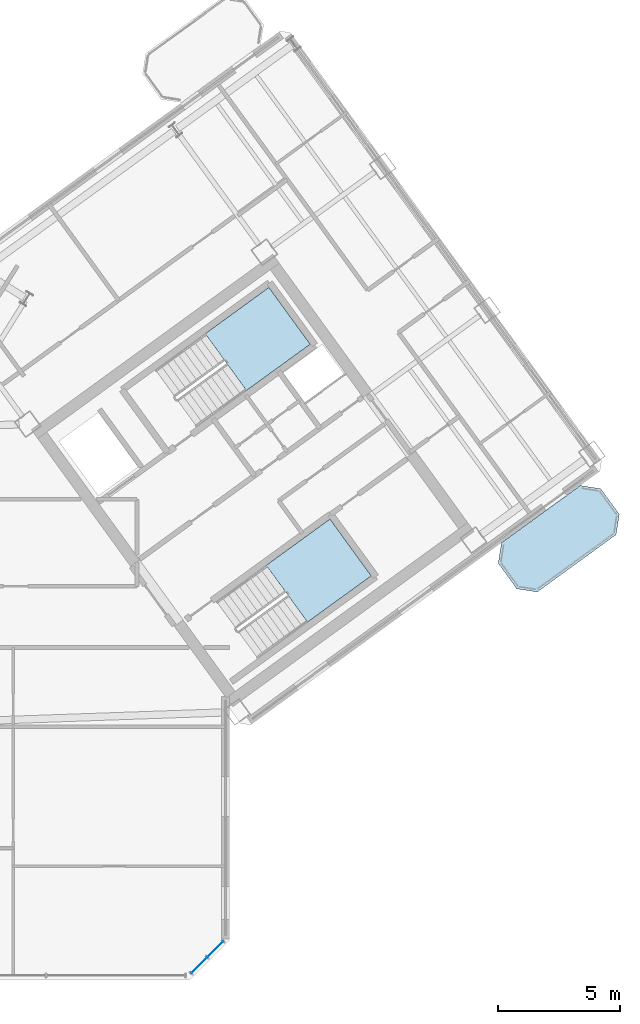
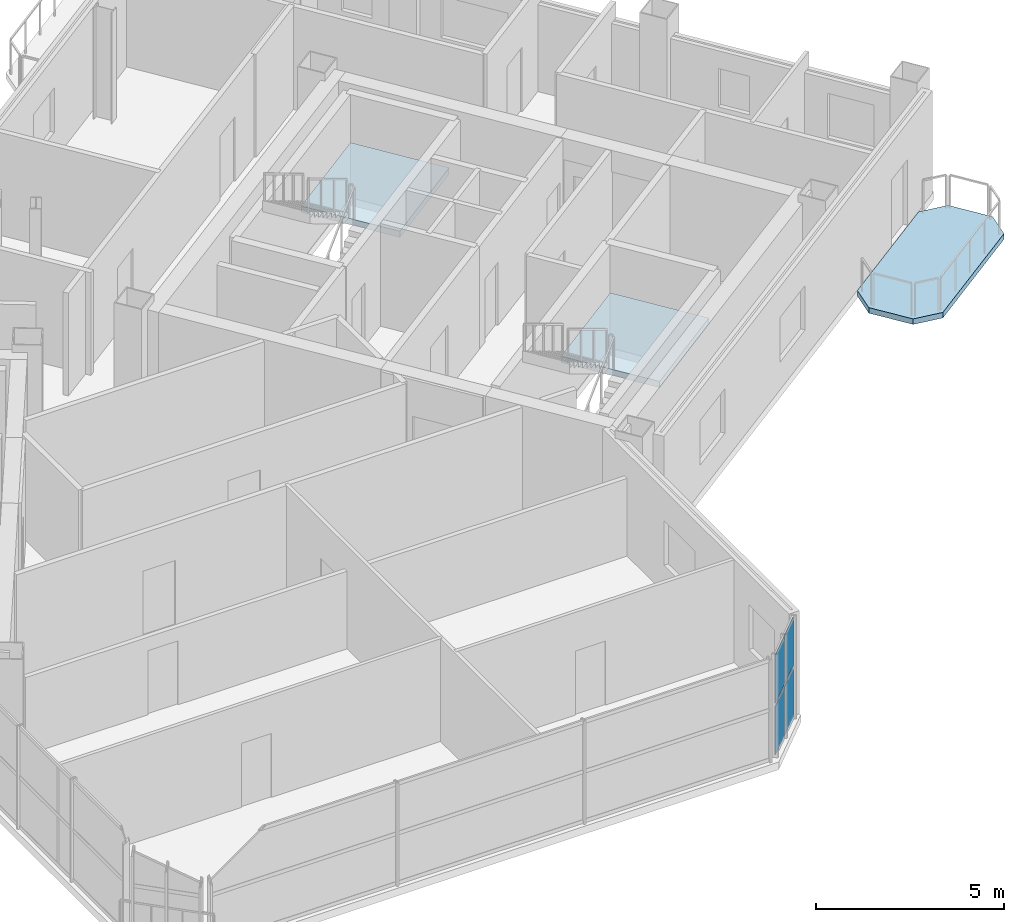
# One storey, part 10 of 21: 4 plates, 3 slabs, 3 elements without a shape of their own.
"""IFC4 building model written with IfcOpenShell, lengths in metres."""

from ifc_helpers import new_model, si_unit, direction, frame, origin, origin_2d, place, context, subcontext, project, spatial, polyline, rectangle, outline, extrude, source, transform, mapped, material, layer, layer_set, type_object, element, aggregate, save


model = new_model("IFC4")

# Units and contexts
model_context = context("Model", 3, precision=1e-05, world=origin(), true_north=direction((0.0, 1.0)))
body_context = subcontext(model_context, "Body", "Model", "MODEL_VIEW")
ifc_project = project(units=[si_unit("LENGTHUNIT", "METRE"), si_unit("AREAUNIT", "SQUARE_METRE"), si_unit("VOLUMEUNIT", "CUBIC_METRE"), si_unit("PLANEANGLEUNIT", "RADIAN"), si_unit("MASSUNIT", "GRAM", prefix="KILO")], contexts=[model_context])

# Site, building, storey
site_placement = place(None, origin())
site = spatial("IfcSite", under=ifc_project, at=site_placement, CompositionType="ELEMENT")
building_placement = place(site_placement, origin())
building = spatial("IfcBuilding", under=site, at=building_placement, Name="Tlacorven Tower", CompositionType="ELEMENT")
storey_placement = place(building_placement, frame((0.0, 0.0, 214.800048828125)))
storey = spatial("IfcBuildingStorey", under=building, at=storey_placement, Name="L54", CompositionType="ELEMENT", Elevation=214.800048828125)

# Slab
ifc_material_1 = material(Name="Precast concrete C45/55", Category="concrete")
ifc_layer_1 = layer(ifc_material_1, 0.179931640625)
ifc_layer_set_1 = layer_set([ifc_layer_1], Name="Precast concrete C45/55")
slab_type_1 = type_object("IfcSlabType", Name="SL-BAL-180", PredefinedType="USERDEFINED", material=ifc_layer_set_1)
slab_1_placement = place(storey_placement, frame((0.0, 0.0, -0.179931640625)))
element("IfcSlab", 1, at=slab_1_placement, inside=storey, type_object=slab_type_1, Name="L54 East Wing Balcony Ribbon OUT", ObjectType="BALCONY SLAB", PredefinedType="USERDEFINED", context=body_context, shape_type="SweptSolid", body=[
    extrude(outline(polyline([(65.025634765625, 17.69482421875), (68.26171875, 20.046142578125), (68.394287109375, 20.884033203125), (67.633056640625, 21.931884765625), (66.795166015625, 22.064453125), (63.55908203125, 19.71337890625), (63.42626953125, 18.875244140625), (64.1875, 17.82763671875), (65.025634765625, 17.69482421875)])), origin(), (0.0, 0.0, 1.0), 0.179931640625),
])

# Stair, slab
ifc_material_2 = material(Name="Concrete C40/50", Category="concrete")
stair_type = type_object("IfcStairType", Name="ST-CORE-DLG", PredefinedType="HALF_TURN_STAIR", material=ifc_material_2)
stair_1_placement = place(storey_placement, origin())
stair_1 = element("IfcStair", 2, at=stair_1_placement, inside=storey, type_object=stair_type, Name="L54 Protected Exit Stair East 1", PredefinedType="HALF_TURN_STAIR")
ifc_layer_2 = layer(ifc_material_2, 0.199951171875)
ifc_layer_set_2 = layer_set([ifc_layer_2], Name="Concrete C40/50")
slab_type_2 = type_object("IfcSlabType", Name="SL-LND-200", PredefinedType="LANDING", material=ifc_layer_set_2)
slab_2_placement = place(storey_placement, frame((0.0, 0.0, 1.599853515625)))
slab_2 = element("IfcSlab", 3, at=slab_2_placement, type_object=slab_type_2, Name="ST-E1 landing 1", PredefinedType="LANDING", context=body_context, shape_type="SweptSolid", body=[
    extrude(outline(polyline([(53.09765625, 25.962890625), (55.7109375, 27.861572265625), (54.01806640625, 30.19140625), (51.40478515625, 28.29296875), (53.09765625, 25.962890625)])), origin(), (0.0, 0.0, 1.0), 0.2001953125),
])
aggregate(stair_1, [slab_2])

stair_2_placement = place(storey_placement, origin())
stair_2 = element("IfcStair", 4, at=stair_2_placement, inside=storey, type_object=stair_type, Name="L54 Protected Exit Stair East 2", PredefinedType="HALF_TURN_STAIR")
slab_3_placement = place(storey_placement, frame((0.0, 0.0, 1.599853515625)))
slab_3 = element("IfcSlab", 5, at=slab_3_placement, type_object=slab_type_2, Name="ST-E2 landing 1", PredefinedType="LANDING", context=body_context, shape_type="SweptSolid", body=[
    extrude(outline(polyline([(55.601806640625, 16.4599609375), (58.21484375, 18.3583984375), (56.52197265625, 20.6884765625), (53.908935546875, 18.789794921875), (55.601806640625, 16.4599609375)])), origin(), (0.0, 0.0, 1.0), 0.2001953125),
])
aggregate(stair_2, [slab_3])

# Curtain wall, plates
ifc_material_3 = material(Name="Dark solar low-E double glazing in aluminium frame", Category="aluminium")
curtain_wall_type = type_object("IfcCurtainWallType", Name="CW-TWR-HIGH", PredefinedType="USERDEFINED", material=ifc_material_3)
curtain_wall_placement = place(storey_placement, origin())
curtain_wall = element("IfcCurtainWall", 6, at=curtain_wall_placement, inside=storey, type_object=curtain_wall_type, Name="L54 CW-TWR-HIGH Curtain Wall 244", ObjectType="UNITISED CURTAIN WALL", PredefinedType="USERDEFINED")
ifc_material_4 = material(Name="High-wind dark solar tempered low-E glazing", Category="glass")
ifc_layer_3 = layer(ifc_material_4, 0.028076171875)
ifc_layer_set_3 = layer_set([ifc_layer_3], Name="High-wind dark solar tempered low-E glazing")
plate_type = type_object("IfcPlateType", Name="CWP-03", PredefinedType="CURTAIN_PANEL", material=ifc_layer_set_3)
shared_shape = source(origin(), body_context, "Body", "SweptSolid", [
    extrude(rectangle(XDim=0.89306640625, YDim=0.028076171875, at=origin_2d()), origin(), (0.0, 0.0, 1.0), 1.572998046875),
])
plate_1_placement = place(storey_placement, frame((51.8173828125, 3.043701171875, 0.05078125), z_axis=(0.0, 0.0, 1.0), x_axis=(-0.707106781187, -0.707106781187, 0.0)))
plate_1 = element("IfcPlate", 7, at=plate_1_placement, type_object=plate_type, Name="CW-L54-244 Glazing Panel 1", PredefinedType="CURTAIN_PANEL", context=body_context, shape_type="MappedRepresentation", body=[
    mapped(shared_shape, transform((0.0, 0.0, 0.0), scale=1.0)),
])
plate_2_placement = place(storey_placement, frame((51.8173828125, 3.043701171875, 1.72607421875), z_axis=(0.0, 0.0, 1.0), x_axis=(-0.707106781187, -0.707106781187, 0.0)))
plate_2 = element("IfcPlate", 8, at=plate_2_placement, type_object=plate_type, Name="CW-L54-244 Glazing Panel 2", PredefinedType="CURTAIN_PANEL", context=body_context, shape_type="MappedRepresentation", body=[
    mapped(shared_shape, transform((0.0, 0.0, 0.0), scale=1.0)),
])
plate_3_placement = place(storey_placement, frame((51.15625, 2.382568359375, 0.05078125), z_axis=(0.0, 0.0, 1.0), x_axis=(-0.707106781187, -0.707106781187, 0.0)))
plate_3 = element("IfcPlate", 9, at=plate_3_placement, type_object=plate_type, Name="CW-L54-244 Glazing Panel 3", PredefinedType="CURTAIN_PANEL", context=body_context, shape_type="MappedRepresentation", body=[
    mapped(shared_shape, transform((0.0, 0.0, 0.0), scale=1.0)),
])
plate_4_placement = place(storey_placement, frame((51.15625, 2.382568359375, 1.72607421875), z_axis=(0.0, 0.0, 1.0), x_axis=(-0.707106781187, -0.707106781187, 0.0)))
plate_4 = element("IfcPlate", 10, at=plate_4_placement, type_object=plate_type, Name="CW-L54-244 Glazing Panel 4", PredefinedType="CURTAIN_PANEL", context=body_context, shape_type="MappedRepresentation", body=[
    mapped(shared_shape, transform((0.0, 0.0, 0.0), scale=1.0)),
])
aggregate(curtain_wall, [plate_1, plate_2, plate_3, plate_4])

save(model, "model.ifc")
